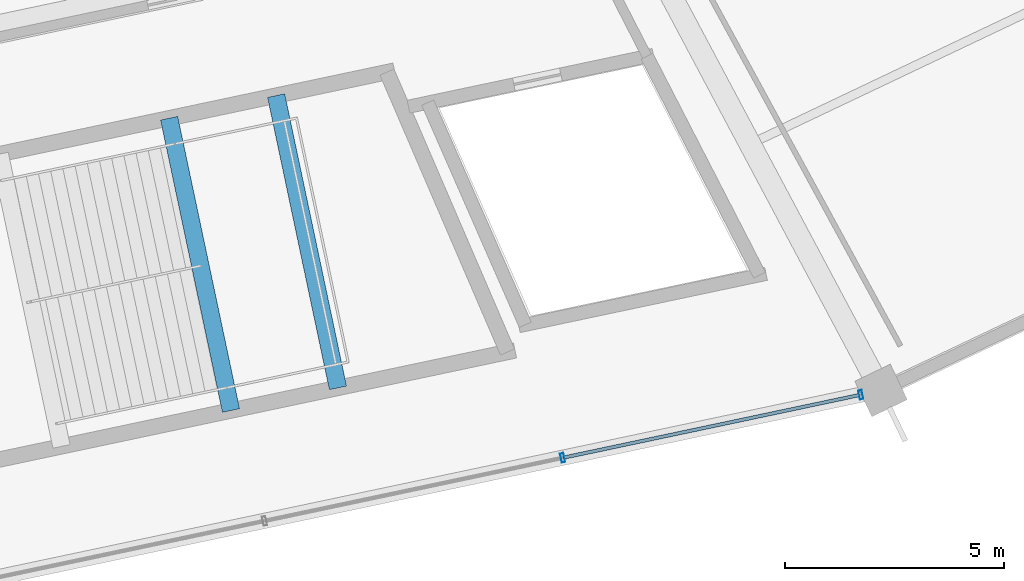
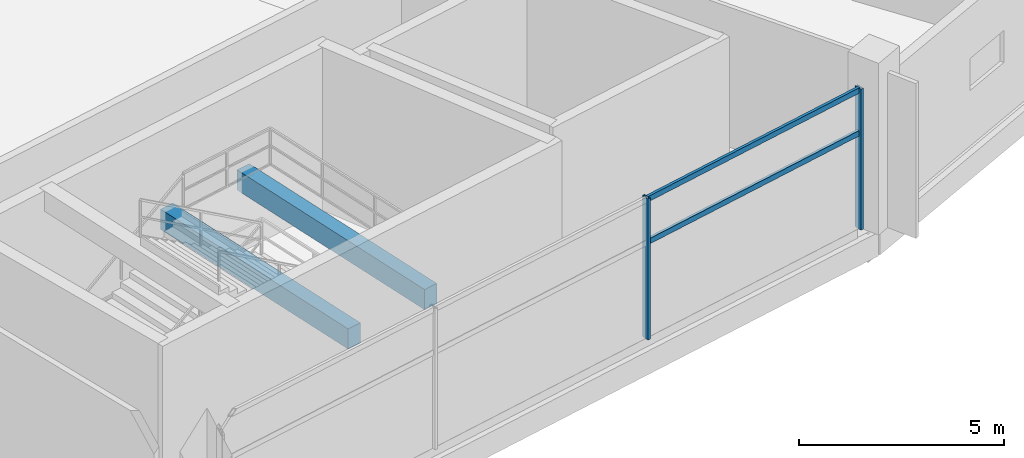
# One storey, part 62 of 184: 4 members, 2 beams, 1 element without a shape of its own.
"""IFC4 building model written with IfcOpenShell, lengths in metres."""

from ifc_helpers import new_model, si_unit, direction, frame, origin, origin_2d, place, context, subcontext, project, spatial, rectangle, hollow_rectangle, extrude, material, layer, layer_set, material_profile, profile_set, type_object, element, aggregate, save


model = new_model("IFC4")

# Units and contexts
model_context = context("Model", 3, precision=1e-05, world=origin(), true_north=direction((0.0, 1.0)))
body_context = subcontext(model_context, "Body", "Model", "MODEL_VIEW")
ifc_project = project(units=[si_unit("LENGTHUNIT", "METRE"), si_unit("AREAUNIT", "SQUARE_METRE"), si_unit("VOLUMEUNIT", "CUBIC_METRE"), si_unit("PLANEANGLEUNIT", "RADIAN"), si_unit("MASSUNIT", "GRAM", prefix="KILO")], contexts=[model_context])

# Site, building, storey
site_placement = place(None, origin())
site = spatial("IfcSite", under=ifc_project, at=site_placement, CompositionType="ELEMENT")
building_placement = place(site_placement, origin())
building = spatial("IfcBuilding", under=site, at=building_placement, Name="Kazemori Nagisa Stadium", CompositionType="ELEMENT")
storey_placement = place(building_placement, frame((0.0, 0.0, 10.5400390625)))
storey = spatial("IfcBuildingStorey", under=building, at=storey_placement, Name="L02", CompositionType="ELEMENT", Elevation=10.5400390625)

# Beams
ifc_material_1 = material(Name="Concrete C40/50 (Fc42)", Category="concrete")
ifc_material_profile_1 = material_profile(ifc_material_1, rectangle(XDim=0.39990234375, YDim=0.60009765625, at=origin_2d()), Name="RC-BM-400x600")
ifc_profile_set_1 = profile_set([ifc_material_profile_1], Name="Concrete C40/50 (Fc42)")
beam_type = type_object("IfcBeamType", Name="Beam_BG-LND400X600", PredefinedType="BEAM", material=ifc_profile_set_1)
for number, where, z_axis, x_axis, name in (
    (1, (149.52685546875, 27.760009765625, 2.050048828125), (0.206997403527, -0.978341491982, 0.0), (0.978341491982, 0.206997403527, 0.0), "Core stair mid-landing girder ST06-L02-1"),
    (2, (151.972900390625, 28.277587890625, 2.050048828125), (0.206963195966, -0.97834872899, 0.0), (0.97834872899, 0.206963195966, 0.0), "Core stair mid-landing girder ST06-L02-2"),
):
    element("IfcBeam", number, at=place(storey_placement, frame(where, z_axis=z_axis, x_axis=x_axis)), inside=storey, type_object=beam_type, Name=name, PredefinedType="BEAM", context=body_context, shape_type="SweptSolid", body=[
        extrude(rectangle(XDim=0.39990234375, YDim=0.60009765625, at=origin_2d()), origin(), (0.0, 0.0, 1.0), 6.831298828125),
    ])

# Curtain wall, members
ifc_material_2 = material(Name="Anodised aluminium 6063-T5", Category="aluminium")
ifc_layer = layer(ifc_material_2, 0.2099609375, Name="Anodised aluminium 6063-T5", Category="aluminium")
ifc_layer_set = layer_set([ifc_layer], Name="Anodised aluminium 6063-T5")
curtain_wall_type = type_object("IfcCurtainWallType", Name="CW_L02R3_105", PredefinedType="USERDEFINED", material=ifc_layer_set)
curtain_wall_placement = place(storey_placement, origin())
curtain_wall = element("IfcCurtainWall", 3, at=curtain_wall_placement, inside=storey, type_object=curtain_wall_type, Name="Unitised curtain wall CW-L02R3-105 L02", ObjectType="UNITISED CURTAIN WALL", PredefinedType="USERDEFINED")
ifc_material_3 = material(Name="Aluminium 6063-T5 anodised", Category="aluminium")
ifc_material_profile_2 = material_profile(ifc_material_3, hollow_rectangle(XDim=0.080078125, YDim=0.2099609375, WallThickness=0.0048828125, at=origin_2d()), Name="ALU-MULL-80x210x5")
ifc_profile_set_2 = profile_set([ifc_material_profile_2], Name="Aluminium 6063-T5 anodised")
member_type_1 = type_object("IfcMemberType", Name="Mullion_M02", PredefinedType="MULLION", material=ifc_profile_set_2)
member_1_placement = place(storey_placement, frame((158.524169921875, 19.995361328125, 0.0), z_axis=(0.0, 0.0, 1.0), x_axis=(0.978344955407, 0.206981033502, 0.0)))
member_1 = element("IfcMember", 4, at=member_1_placement, type_object=member_type_1, Name="Curtain wall mullion CW-L02R3-105-M3", PredefinedType="MULLION", context=body_context, shape_type="SweptSolid", body=[
    extrude(hollow_rectangle(XDim=0.080078125, YDim=0.2099609375, WallThickness=0.0048828125, at=origin_2d()), origin(), (0.0, 0.0, 1.0), 4.18994140625),
])
member_2_placement = place(storey_placement, frame((165.340087890625, 21.4375, 0.0), z_axis=(0.0, 0.0, 1.0), x_axis=(0.978344955407, 0.206981033502, 0.0)))
member_2 = element("IfcMember", 5, at=member_2_placement, type_object=member_type_1, Name="Curtain wall mullion CW-L02R3-105-M4", PredefinedType="MULLION", context=body_context, shape_type="SweptSolid", body=[
    extrude(hollow_rectangle(XDim=0.080078125, YDim=0.2099609375, WallThickness=0.0048828125, at=origin_2d()), origin(), (0.0, 0.0, 1.0), 4.18994140625),
])
ifc_material_profile_3 = material_profile(ifc_material_3, hollow_rectangle(XDim=0.080078125, YDim=0.159912109375, WallThickness=0.00390625, at=origin_2d()), Name="ALU-TRAN-80x160x4")
ifc_profile_set_3 = profile_set([ifc_material_profile_3], Name="Aluminium 6063-T5 anodised")
member_type_2 = type_object("IfcMemberType", Name="Transom_T02", PredefinedType="USERDEFINED", material=ifc_profile_set_3)
member_3_placement = place(storey_placement, frame((158.543701171875, 19.99951171875, 2.84912109375), z_axis=(0.97834174255, 0.206996219252, 0.0), x_axis=(-0.206996219252, 0.97834174255, 0.0)))
member_3 = element("IfcMember", 6, at=member_3_placement, type_object=member_type_2, Name="Curtain wall transom CW-L02R3-105-T3-mid", ObjectType="TRANSOM", PredefinedType="USERDEFINED", context=body_context, shape_type="SweptSolid", body=[
    extrude(hollow_rectangle(XDim=0.080078125, YDim=0.159912109375, WallThickness=0.00390625, at=origin_2d()), origin(), (0.0, 0.0, 1.0), 6.9267578125),
])
member_4_placement = place(storey_placement, frame((158.543701171875, 19.99951171875, 4.119873046875), z_axis=(0.97834174255, 0.206996219252, 0.0), x_axis=(-0.206996219252, 0.97834174255, 0.0)))
member_4 = element("IfcMember", 7, at=member_4_placement, type_object=member_type_2, Name="Curtain wall transom CW-L02R3-105-T3-head", ObjectType="TRANSOM", PredefinedType="USERDEFINED", context=body_context, shape_type="SweptSolid", body=[
    extrude(hollow_rectangle(XDim=0.080078125, YDim=0.159912109375, WallThickness=0.00390625, at=origin_2d()), origin(), (0.0, 0.0, 1.0), 6.9267578125),
])
aggregate(curtain_wall, [member_1, member_2, member_3, member_4])

save(model, "model.ifc")
